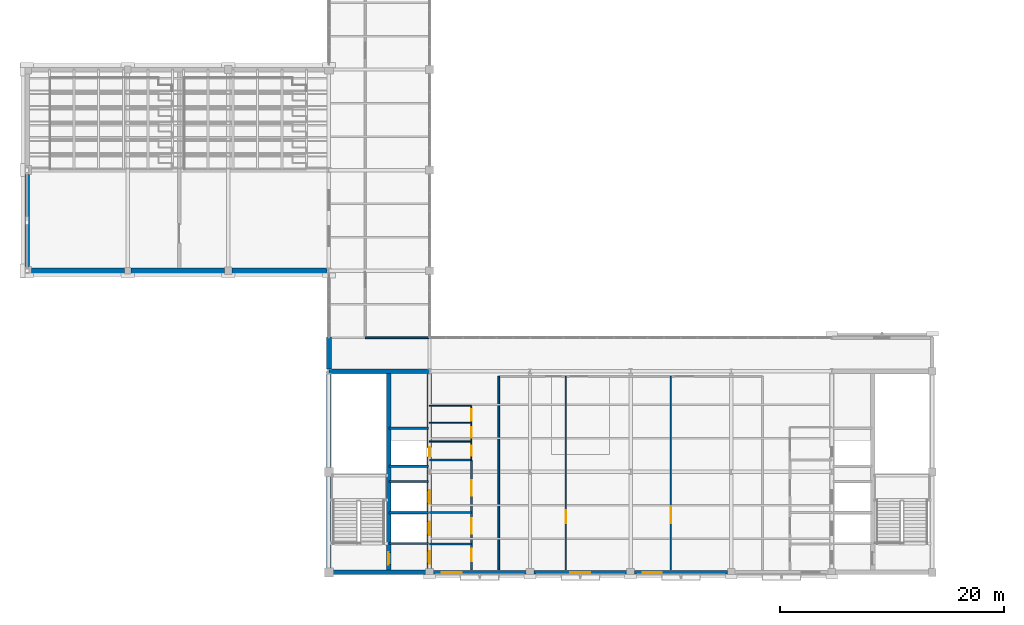
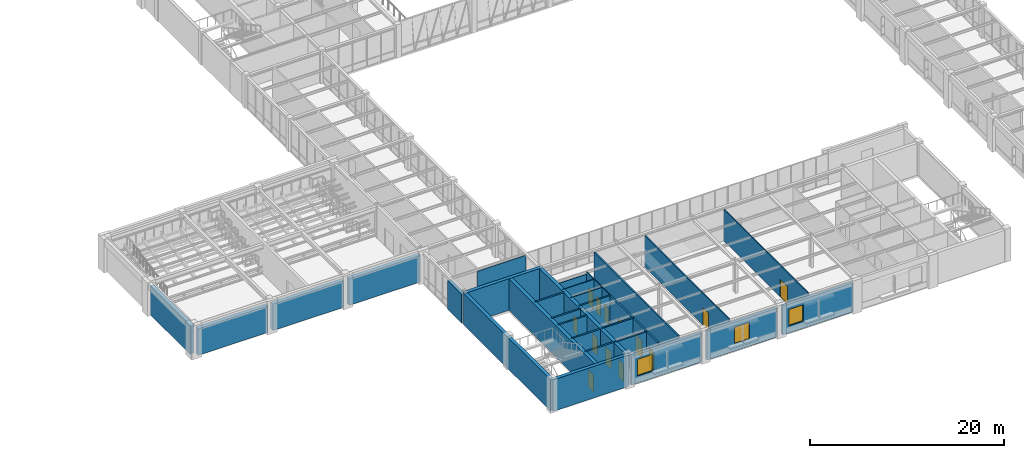
# One storey, part 111 of 130: 30 walls, 13 doors, 3 windows, 16 openings.
"""IFC4 building model written with IfcOpenShell, lengths in metres."""

from ifc_helpers import new_model, si_unit, direction, frame, frame_2d, origin, place, context, subcontext, project, spatial, rectangle, extrude, material, layer, layer_set, type_object, element, fill, save


model = new_model("IFC4")

# Units and contexts
model_context = context("Model", 3, precision=1e-05, world=origin(), true_north=direction((0.0, 1.0)))
body_context = subcontext(model_context, "Body", "Model", "MODEL_VIEW")
ifc_project = project(units=[si_unit("LENGTHUNIT", "METRE"), si_unit("AREAUNIT", "SQUARE_METRE"), si_unit("VOLUMEUNIT", "CUBIC_METRE"), si_unit("PLANEANGLEUNIT", "RADIAN"), si_unit("MASSUNIT", "GRAM", prefix="KILO")], contexts=[model_context])

# Site, building, storey
site_placement = place(None, origin())
site = spatial("IfcSite", under=ifc_project, at=site_placement, CompositionType="ELEMENT")
building_placement = place(site_placement, origin())
building = spatial("IfcBuilding", under=site, at=building_placement, Name="Lykobir Media Centre", CompositionType="ELEMENT")
storey_placement = place(building_placement, frame((0.0, 0.0, 19.199951171875)))
storey = spatial("IfcBuildingStorey", under=building, at=storey_placement, Name="L04", CompositionType="ELEMENT", Elevation=19.199951171875)

# Walls
ifc_material_1 = material(Name="Concrete C35/45", Category="concrete")
ifc_layer_1 = layer(ifc_material_1, 0.4599609375, Name="Concrete C35/45")
ifc_layer_set_1 = layer_set([ifc_layer_1], Name="Concrete C35/45")
wall_type_1 = type_object("IfcWallType", Name="EW-ACO-460", PredefinedType="STANDARD", material=ifc_layer_set_1)
wall_1_placement = place(storey_placement, frame((0.385009765625, 27.0, 0.0), z_axis=(0.0, 0.0, 1.0), x_axis=(1.0, 0.0, 0.0)))
element("IfcWall", 1, at=wall_1_placement, inside=storey, type_object=wall_type_1, Name="Exterior wall WALL-L04-0269", PredefinedType="STANDARD", context=body_context, shape_type="SweptSolid", body=[
    extrude(rectangle(XDim=8.330078125, YDim=0.4599609375, at=frame_2d((4.1650390625, 0.0))), origin(), (0.0, 0.0, 1.0), 3.3349609375),
])
wall_2_placement = place(storey_placement, frame((9.284912109375, 27.0, 0.0), z_axis=(0.0, 0.0, 1.0), x_axis=(1.0, 0.0, 0.0)))
element("IfcWall", 2, at=wall_2_placement, inside=storey, type_object=wall_type_1, Name="Exterior wall WALL-L04-0270", PredefinedType="STANDARD", context=body_context, shape_type="SweptSolid", body=[
    extrude(rectangle(XDim=8.380126953125, YDim=0.4599609375, at=frame_2d((4.18994140625, 0.0))), origin(), (0.0, 0.0, 1.0), 3.3349609375),
])
wall_3_placement = place(storey_placement, frame((18.3349609375, 27.0, 0.0), z_axis=(0.0, 0.0, 1.0), x_axis=(1.0, 0.0, 0.0)))
element("IfcWall", 3, at=wall_3_placement, inside=storey, type_object=wall_type_1, Name="Exterior wall WALL-L04-0271", PredefinedType="STANDARD", context=body_context, shape_type="SweptSolid", body=[
    extrude(rectangle(XDim=8.47802734375, YDim=0.4599609375, at=frame_2d((4.239013671875, 0.0))), origin(), (0.0, 0.0, 1.0), 3.3349609375),
])
wall_4_placement = place(storey_placement, frame((27.0, 21.074951171875, 0.0), z_axis=(0.0, 0.0, 1.0), x_axis=(0.0, -1.0, 0.0)))
element("IfcWall", 4, at=wall_4_placement, inside=storey, type_object=wall_type_1, Name="Exterior wall WALL-L04-0272", PredefinedType="STANDARD", context=body_context, shape_type="SweptSolid", body=[
    extrude(rectangle(XDim=2.886474609375, YDim=0.4599609375, at=frame_2d((1.443359375, 0.0))), origin(), (0.0, 0.0, 1.0), 3.635009765625),
])
wall_5_placement = place(storey_placement, frame((0.0, 35.614990234375, 0.0), z_axis=(0.0, 0.0, 1.0), x_axis=(0.0, -1.0, 0.0)))
element("IfcWall", 5, at=wall_5_placement, inside=storey, type_object=wall_type_1, Name="Exterior wall WALL-L04-0292", PredefinedType="STANDARD", context=body_context, shape_type="SweptSolid", body=[
    extrude(rectangle(XDim=8.22998046875, YDim=0.4599609375, at=frame_2d((4.114990234375, 0.0))), origin(), (0.0, 0.0, 1.0), 3.625),
])

# Wall, opening, window
ifc_material_2 = material(Name="Glazed Turquoise Terracotta", Category="masonry")
ifc_layer_2 = layer(ifc_material_2, 0.31005859375, Name="Glazed Turquoise Terracotta")
ifc_layer_set_2 = layer_set([ifc_layer_2], Name="Glazed Turquoise Terracotta")
wall_type_2 = type_object("IfcWallType", Name="EW-TER-310", PredefinedType="STANDARD", material=ifc_layer_set_2)
wall_6_placement = place(storey_placement, frame((36.3349609375, 0.0, 0.0), z_axis=(0.0, 0.0, 1.0), x_axis=(1.0, 0.0, 0.0)))
wall_6 = element("IfcWall", 6, at=wall_6_placement, inside=storey, type_object=wall_type_2, Name="Exterior wall WALL-L04-0273", PredefinedType="STANDARD", context=body_context, shape_type="SweptSolid", body=[
    extrude(rectangle(XDim=8.330078125, YDim=0.31005859375, at=frame_2d((4.1650390625, 0.0))), origin(), (0.0, 0.0, 1.0), 3.635009765625),
])
opening_1_placement = place(wall_6_placement, frame((0.75, 0.0, 0.89990234375)))
opening_1 = element("IfcOpeningElement", 7, at=opening_1_placement, cuts=wall_6, Name="Opening WN-1800x2100", PredefinedType="OPENING", context=body_context, shape_type="SweptSolid", body=[
    extrude(rectangle(XDim=1.800048828125, YDim=2.10009765625, at=frame_2d((0.89990234375, 1.050048828125))), frame((0.0, 0.1650390625, 0.0), z_axis=(0.0, -1.0, 0.0), x_axis=(1.0, 0.0, 0.0)), (0.0, 0.0, 1.0), 0.330078125),
])
ifc_material_3 = material(Name="Low-E Laminated Triple Glazing", Category="glass")
window_type_1 = type_object("IfcWindowType", Name="WN-1800x2100", PartitioningType="SINGLE_PANEL", PredefinedType="WINDOW", material=ifc_material_3)
window_1_placement = place(opening_1_placement, origin())
window_1 = element("IfcWindow", 8, at=window_1_placement, inside=storey, type_object=window_type_1, Name="Window WIN-L04-0099", OverallHeight=2.10009765625, OverallWidth=1.800048828125, PartitioningType="SINGLE_PANEL", PredefinedType="WINDOW", context=body_context, shape_type="SweptSolid", body=[
    extrude(rectangle(XDim=1.800048828125, YDim=2.10009765625, at=frame_2d((0.89990234375, 1.050048828125))), frame((0.0, 0.030029296875, 0.0), z_axis=(0.0, -1.0, 0.0), x_axis=(1.0, 0.0, 0.0)), (0.0, 0.0, 1.0), 0.06005859375),
])
fill(opening_1, window_1)

wall_7_placement = place(storey_placement, frame((45.3349609375, 0.0, 0.0), z_axis=(0.0, 0.0, 1.0), x_axis=(1.0, 0.0, 0.0)))
wall_7 = element("IfcWall", 9, at=wall_7_placement, inside=storey, type_object=wall_type_2, Name="Exterior wall WALL-L04-0274", PredefinedType="STANDARD", context=body_context, shape_type="SweptSolid", body=[
    extrude(rectangle(XDim=8.330078125, YDim=0.31005859375, at=frame_2d((4.1650390625, 0.0))), origin(), (0.0, 0.0, 1.0), 3.635009765625),
])
opening_2_placement = place(wall_7_placement, frame((3.264892578125, 0.0, 0.89990234375)))
opening_2 = element("IfcOpeningElement", 10, at=opening_2_placement, cuts=wall_7, Name="Opening WN-1800x2100", PredefinedType="OPENING", context=body_context, shape_type="SweptSolid", body=[
    extrude(rectangle(XDim=1.800048828125, YDim=2.10009765625, at=frame_2d((0.89990234375, 1.050048828125))), frame((0.0, 0.1650390625, 0.0), z_axis=(0.0, -1.0, 0.0), x_axis=(1.0, 0.0, 0.0)), (0.0, 0.0, 1.0), 0.330078125),
])
window_2_placement = place(opening_2_placement, origin())
window_2 = element("IfcWindow", 11, at=window_2_placement, inside=storey, type_object=window_type_1, Name="Window WIN-L04-0100", OverallHeight=2.10009765625, OverallWidth=1.800048828125, PartitioningType="SINGLE_PANEL", PredefinedType="WINDOW", context=body_context, shape_type="SweptSolid", body=[
    extrude(rectangle(XDim=1.800048828125, YDim=2.10009765625, at=frame_2d((0.89990234375, 1.050048828125))), frame((0.0, 0.030029296875, 0.0), z_axis=(0.0, -1.0, 0.0), x_axis=(1.0, 0.0, 0.0)), (0.0, 0.0, 1.0), 0.06005859375),
])
fill(opening_2, window_2)

wall_8_placement = place(storey_placement, frame((54.3349609375, 0.0, 0.0), z_axis=(0.0, 0.0, 1.0), x_axis=(1.0, 0.0, 0.0)))
wall_8 = element("IfcWall", 12, at=wall_8_placement, inside=storey, type_object=wall_type_2, Name="Exterior wall WALL-L04-0275", PredefinedType="STANDARD", context=body_context, shape_type="SweptSolid", body=[
    extrude(rectangle(XDim=8.330078125, YDim=0.31005859375, at=frame_2d((4.1650390625, 0.0))), origin(), (0.0, 0.0, 1.0), 3.635009765625),
])
opening_3_placement = place(wall_8_placement, frame((0.75, 0.0, 0.89990234375)))
opening_3 = element("IfcOpeningElement", 13, at=opening_3_placement, cuts=wall_8, Name="Opening WN-1700x2050", PredefinedType="OPENING", context=body_context, shape_type="SweptSolid", body=[
    extrude(rectangle(XDim=1.699951171875, YDim=2.050048828125, at=frame_2d((0.85009765625, 1.02490234375))), frame((0.0, 0.1650390625, 0.0), z_axis=(0.0, -1.0, 0.0), x_axis=(1.0, 0.0, 0.0)), (0.0, 0.0, 1.0), 0.330078125),
])
window_type_2 = type_object("IfcWindowType", Name="WN-1700x2050", PartitioningType="SINGLE_PANEL", PredefinedType="WINDOW", material=ifc_material_3)
window_3_placement = place(opening_3_placement, origin())
window_3 = element("IfcWindow", 14, at=window_3_placement, inside=storey, type_object=window_type_2, Name="Window WIN-L04-0101", OverallHeight=2.050048828125, OverallWidth=1.699951171875, PartitioningType="SINGLE_PANEL", PredefinedType="WINDOW", context=body_context, shape_type="SweptSolid", body=[
    extrude(rectangle(XDim=1.699951171875, YDim=2.050048828125, at=frame_2d((0.85009765625, 1.02490234375))), frame((0.0, 0.030029296875, 0.0), z_axis=(0.0, -1.0, 0.0), x_axis=(1.0, 0.0, 0.0)), (0.0, 0.0, 1.0), 0.06005859375),
])
fill(opening_3, window_3)

# Walls
ifc_material_4 = material(Name="Acoustic Gypsum Board", Category="gypsum")
ifc_layer_3 = layer(ifc_material_4, 0.159912109375, Name="Acoustic Gypsum Board")
ifc_layer_set_3 = layer_set([ifc_layer_3], Name="Acoustic Gypsum Board")
wall_type_3 = type_object("IfcWallType", Name="IW-COR-160", PredefinedType="PARTITIONING", material=ifc_layer_set_3)
wall_9_placement = place(storey_placement, frame((42.199951171875, 0.219970703125, 0.0), z_axis=(0.0, 0.0, 1.0), x_axis=(0.0, 1.0, 0.0)))
element("IfcWall", 15, at=wall_9_placement, inside=storey, type_object=wall_type_3, Name="Wall IWALL-L04-0735", PredefinedType="PARTITIONING", context=body_context, shape_type="SweptSolid", body=[
    extrude(rectangle(XDim=17.330078125, YDim=0.159912109375, at=frame_2d((8.6650390625, 0.0))), origin(), (0.0, 0.0, 1.0), 3.9599609375),
])
wall_10_placement = place(storey_placement, frame((30.25, 21.0, 0.0), z_axis=(0.0, 0.0, 1.0), x_axis=(1.0, 0.0, 0.0)))
element("IfcWall", 16, at=wall_10_placement, inside=storey, type_object=wall_type_3, Name="Wall IWALL-L04-0740", PredefinedType="PARTITIONING", context=body_context, shape_type="SweptSolid", body=[
    extrude(rectangle(XDim=5.72998046875, YDim=0.159912109375, at=frame_2d((2.864990234375, 0.0))), origin(), (0.0, 0.0, 1.0), 3.675048828125),
])

# Wall, openings, doors
ifc_layer_4 = layer(ifc_material_4, 0.179931640625, Name="Acoustic Gypsum Board")
ifc_layer_set_4 = layer_set([ifc_layer_4], Name="Acoustic Gypsum Board")
wall_type_4 = type_object("IfcWallType", Name="IW-FFLOB-180", PredefinedType="PARTITIONING", material=ifc_layer_set_4)
wall_11_placement = place(storey_placement, frame((39.75, 0.219970703125, 0.0), z_axis=(0.0, 0.0, 1.0), x_axis=(0.0, 1.0, 0.0)))
wall_11 = element("IfcWall", 17, at=wall_11_placement, inside=storey, type_object=wall_type_4, Name="Wall IWALL-L04-0101", PredefinedType="PARTITIONING", context=body_context, shape_type="SweptSolid", body=[
    extrude(rectangle(XDim=9.830078125, YDim=0.179931640625, at=frame_2d((4.9150390625, 0.0))), origin(), (0.0, 0.0, 1.0), 3.9599609375),
])
opening_4_placement = place(wall_11_placement, frame((0.800048828125, 0.0, 0.0)))
opening_4 = element("IfcOpeningElement", 18, at=opening_4_placement, cuts=wall_11, Name="Opening D-L04-C1LV", PredefinedType="OPENING", context=body_context, shape_type="SweptSolid", body=[
    extrude(rectangle(XDim=1.10009765625, YDim=2.159912109375, at=frame_2d((0.550048828125, 1.080078125))), frame((0.0, 0.099853515625, 0.0), z_axis=(0.0, -1.0, 0.0), x_axis=(1.0, 0.0, 0.0)), (0.0, 0.0, 1.0), 0.199951171875),
])
opening_5_placement = place(wall_11_placement, frame((3.25, 0.0, 0.0)))
opening_5 = element("IfcOpeningElement", 19, at=opening_5_placement, cuts=wall_11, Name="Opening D-L04-C1PL", PredefinedType="OPENING", context=body_context, shape_type="SweptSolid", body=[
    extrude(rectangle(XDim=1.39990234375, YDim=2.199951171875, at=frame_2d((0.699951171875, 1.10009765625))), frame((0.0, 0.099853515625, 0.0), z_axis=(0.0, -1.0, 0.0), x_axis=(1.0, 0.0, 0.0)), (0.0, 0.0, 1.0), 0.199951171875),
])
opening_6_placement = place(wall_11_placement, frame((6.64990234375, 0.0, 0.0)))
opening_6 = element("IfcOpeningElement", 20, at=opening_6_placement, cuts=wall_11, Name="Opening D-L04-C1FF", PredefinedType="OPENING", context=body_context, shape_type="SweptSolid", body=[
    extrude(rectangle(XDim=1.39990234375, YDim=2.199951171875, at=frame_2d((0.699951171875, 1.10009765625))), frame((0.0, 0.099853515625, 0.0), z_axis=(0.0, -1.0, 0.0), x_axis=(1.0, 0.0, 0.0)), (0.0, 0.0, 1.0), 0.199951171875),
])
ifc_material_5 = material(Name="Acoustic Timber Panelling", Category="wood")
door_type_1 = type_object("IfcDoorType", Name="FD-1100x2160", OperationType="NOTDEFINED", PredefinedType="DOOR", material=ifc_material_5)
door_1_placement = place(opening_4_placement, origin())
door_1 = element("IfcDoor", 21, at=door_1_placement, inside=storey, type_object=door_type_1, Name="Door D-L04-C1LV", OperationType="SINGLE_SWING_LEFT", OverallHeight=2.159912109375, OverallWidth=1.10009765625, PredefinedType="DOOR", context=body_context, shape_type="SweptSolid", body=[
    extrude(rectangle(XDim=1.10009765625, YDim=2.159912109375, at=frame_2d((0.550048828125, 1.080078125))), frame((0.0, 0.02490234375, 0.0), z_axis=(0.0, -1.0, 0.0), x_axis=(1.0, 0.0, 0.0)), (0.0, 0.0, 1.0), 0.050048828125),
])
fill(opening_4, door_1)
door_type_2 = type_object("IfcDoorType", Name="FD-1400x2200", OperationType="NOTDEFINED", PredefinedType="DOOR", material=ifc_material_5)
door_2_placement = place(opening_5_placement, origin())
door_2 = element("IfcDoor", 22, at=door_2_placement, inside=storey, type_object=door_type_2, Name="Door D-L04-C1PL", OperationType="DOUBLE_DOOR_SINGLE_SWING", OverallHeight=2.199951171875, OverallWidth=1.39990234375, PredefinedType="DOOR", context=body_context, shape_type="SweptSolid", body=[
    extrude(rectangle(XDim=1.39990234375, YDim=2.199951171875, at=frame_2d((0.699951171875, 1.10009765625))), frame((0.0, 0.02490234375, 0.0), z_axis=(0.0, -1.0, 0.0), x_axis=(1.0, 0.0, 0.0)), (0.0, 0.0, 1.0), 0.050048828125),
])
fill(opening_5, door_2)
door_3_placement = place(opening_6_placement, origin())
door_3 = element("IfcDoor", 23, at=door_3_placement, inside=storey, type_object=door_type_2, Name="Door D-L04-C1FF", OperationType="DOUBLE_DOOR_SINGLE_SWING", OverallHeight=2.199951171875, OverallWidth=1.39990234375, PredefinedType="DOOR", context=body_context, shape_type="SweptSolid", body=[
    extrude(rectangle(XDim=1.39990234375, YDim=2.199951171875, at=frame_2d((0.699951171875, 1.10009765625))), frame((0.0, 0.02490234375, 0.0), z_axis=(0.0, -1.0, 0.0), x_axis=(1.0, 0.0, 0.0)), (0.0, 0.0, 1.0), 0.050048828125),
])
fill(opening_6, door_3)

# Walls
for number, where, z_axis, x_axis, name in (
    (24, (36.0, 2.550048828125, 0.0), (0.0, 0.0, 1.0), (1.0, 0.0, 0.0), "Wall IWALL-L04-0102"),
    (25, (36.0, 5.35009765625, 0.0), (0.0, 0.0, 1.0), (1.0, 0.0, 0.0), "Wall IWALL-L04-0103"),
    (26, (36.0, 10.050048828125, 0.0), (0.0, 0.0, 1.0), (1.0, 0.0, 0.0), "Wall IWALL-L04-0104"),
):
    element("IfcWall", number, at=place(storey_placement, frame(where, z_axis=z_axis, x_axis=x_axis)), inside=storey, type_object=wall_type_4, Name=name, PredefinedType="PARTITIONING", context=body_context, shape_type="SweptSolid", body=[
        extrude(rectangle(XDim=3.75, YDim=0.179931640625, at=frame_2d((1.875, 0.0))), origin(), (0.0, 0.0, 1.0), 3.9599609375),
    ])

# Wall, opening, door
ifc_layer_5 = layer(ifc_material_4, 0.110107421875, Name="Acoustic Gypsum Board")
ifc_layer_set_5 = layer_set([ifc_layer_5], Name="Acoustic Gypsum Board")
wall_type_5 = type_object("IfcWallType", Name="IW-RM-110", PredefinedType="PARTITIONING", material=ifc_layer_set_5)
wall_12_placement = place(storey_placement, frame((57.60009765625, 0.219970703125, 0.0), z_axis=(0.0, 0.0, 1.0), x_axis=(0.0, 1.0, 0.0)))
wall_12 = element("IfcWall", 27, at=wall_12_placement, inside=storey, type_object=wall_type_5, Name="Wall IWALL-L04-0738", PredefinedType="PARTITIONING", context=body_context, shape_type="SweptSolid", body=[
    extrude(rectangle(XDim=17.330078125, YDim=0.110107421875, at=frame_2d((8.6650390625, 0.0))), origin(), (0.0, 0.0, 1.0), 3.9599609375),
])
opening_7_placement = place(wall_12_placement, frame((4.199951171875, 0.0, 0.0)))
opening_7 = element("IfcOpeningElement", 28, at=opening_7_placement, cuts=wall_12, Name="Opening D-L04-V7S2", PredefinedType="OPENING", context=body_context, shape_type="SweptSolid", body=[
    extrude(rectangle(XDim=1.5, YDim=2.199951171875, at=frame_2d((0.75, 1.10009765625))), frame((0.0, 0.06494140625, 0.0), z_axis=(0.0, -1.0, 0.0), x_axis=(1.0, 0.0, 0.0)), (0.0, 0.0, 1.0), 0.130126953125),
])
door_type_3 = type_object("IfcDoorType", Name="ID-1500x2200", OperationType="NOTDEFINED", PredefinedType="DOOR", material=ifc_material_5)
door_4_placement = place(opening_7_placement, origin())
door_4 = element("IfcDoor", 29, at=door_4_placement, inside=storey, type_object=door_type_3, Name="Door D-L04-V7S2", OperationType="SINGLE_SWING_LEFT", OverallHeight=2.199951171875, OverallWidth=1.5, PredefinedType="DOOR", context=body_context, shape_type="SweptSolid", body=[
    extrude(rectangle(XDim=1.5, YDim=2.199951171875, at=frame_2d((0.75, 1.10009765625))), frame((0.0, 0.02490234375, 0.0), z_axis=(0.0, -1.0, 0.0), x_axis=(1.0, 0.0, 0.0)), (0.0, 0.0, 1.0), 0.050048828125),
])
fill(opening_7, door_4)

ifc_layer_6 = layer(ifc_material_4, 0.125, Name="Acoustic Gypsum Board")
ifc_layer_set_6 = layer_set([ifc_layer_6], Name="Acoustic Gypsum Board")
wall_type_6 = type_object("IfcWallType", Name="IW-RM-125", PredefinedType="PARTITIONING", material=ifc_layer_set_6)
wall_13_placement = place(storey_placement, frame((48.199951171875, 0.219970703125, 0.0), z_axis=(0.0, 0.0, 1.0), x_axis=(0.0, 1.0, 0.0)))
wall_13 = element("IfcWall", 30, at=wall_13_placement, inside=storey, type_object=wall_type_6, Name="Wall IWALL-L04-0737", PredefinedType="PARTITIONING", context=body_context, shape_type="SweptSolid", body=[
    extrude(rectangle(XDim=17.330078125, YDim=0.125, at=frame_2d((8.6650390625, 0.0))), origin(), (0.0, 0.0, 1.0), 3.9599609375),
])
opening_8_placement = place(wall_13_placement, frame((4.199951171875, 0.0, 0.0)))
opening_8 = element("IfcOpeningElement", 31, at=opening_8_placement, cuts=wall_13, Name="Opening D-L04-V7S1", PredefinedType="OPENING", context=body_context, shape_type="SweptSolid", body=[
    extrude(rectangle(XDim=1.14990234375, YDim=2.14990234375, at=frame_2d((0.574951171875, 1.074951171875))), frame((0.0, 0.072509765625, 0.0), z_axis=(0.0, -1.0, 0.0), x_axis=(1.0, 0.0, 0.0)), (0.0, 0.0, 1.0), 0.14501953125),
])
door_type_4 = type_object("IfcDoorType", Name="ID-1150x2150", OperationType="NOTDEFINED", PredefinedType="DOOR", material=ifc_material_5)
door_5_placement = place(opening_8_placement, origin())
door_5 = element("IfcDoor", 32, at=door_5_placement, inside=storey, type_object=door_type_4, Name="Door D-L04-V7S1", OperationType="SINGLE_SWING_LEFT", OverallHeight=2.14990234375, OverallWidth=1.14990234375, PredefinedType="DOOR", context=body_context, shape_type="SweptSolid", body=[
    extrude(rectangle(XDim=1.14990234375, YDim=2.14990234375, at=frame_2d((0.574951171875, 1.074951171875))), frame((0.0, 0.02490234375, 0.0), z_axis=(0.0, -1.0, 0.0), x_axis=(1.0, 0.0, 0.0)), (0.0, 0.0, 1.0), 0.050048828125),
])
fill(opening_8, door_5)

# Walls
ifc_material_6 = material(Name="Concrete C30/37", Category="concrete")
ifc_layer_7 = layer(ifc_material_6, 0.199951171875, Name="Concrete C30/37")
ifc_layer_set_7 = layer_set([ifc_layer_7], Name="Concrete C30/37")
wall_type_7 = type_object("IfcWallType", Name="IW-SHAFT-200", PredefinedType="PARTITIONING", material=ifc_layer_set_7)
for number, where, z_axis, x_axis, name in (
    (33, (32.39990234375, 2.60009765625, 0.0), (0.0, 0.0, 1.0), (1.0, 0.0, 0.0), "Wall IWALL-L04-0096"),
    (34, (32.39990234375, 5.35009765625, 0.0), (0.0, 0.0, 1.0), (1.0, 0.0, 0.0), "Wall IWALL-L04-0097"),
    (35, (32.39990234375, 8.14990234375, 0.0), (0.0, 0.0, 1.0), (1.0, 0.0, 0.0), "Wall IWALL-L04-0098"),
    (36, (32.39990234375, 9.5, 0.0), (0.0, 0.0, 1.0), (1.0, 0.0, 0.0), "Wall IWALL-L04-0099"),
    (37, (32.39990234375, 12.89990234375, 0.0), (0.0, 0.0, 1.0), (1.0, 0.0, 0.0), "Wall IWALL-L04-0100"),
):
    element("IfcWall", number, at=place(storey_placement, frame(where, z_axis=z_axis, x_axis=x_axis)), inside=storey, type_object=wall_type_7, Name=name, PredefinedType="PARTITIONING", context=body_context, shape_type="SweptSolid", body=[
        extrude(rectangle(XDim=3.5, YDim=0.199951171875, at=frame_2d((1.75, 0.0))), origin(), (0.0, 0.0, 1.0), 3.9599609375),
    ])

# Wall, openings, doors
ifc_layer_8 = layer(ifc_material_4, 0.094970703125, Name="Acoustic Gypsum Board")
ifc_layer_set_8 = layer_set([ifc_layer_8], Name="Acoustic Gypsum Board")
wall_type_8 = type_object("IfcWallType", Name="IW-WC-095", PredefinedType="PARTITIONING", material=ifc_layer_set_8)
wall_14_placement = place(storey_placement, frame((39.75, 10.050048828125, 0.0), z_axis=(0.0, 0.0, 1.0), x_axis=(0.0, 1.0, 0.0)))
wall_14 = element("IfcWall", 38, at=wall_14_placement, inside=storey, type_object=wall_type_8, Name="Wall IWALL-L04-0105", PredefinedType="PARTITIONING", context=body_context, shape_type="SweptSolid", body=[
    extrude(rectangle(XDim=4.849853515625, YDim=0.094970703125, at=frame_2d((2.4248046875, 0.0))), origin(), (0.0, 0.0, 1.0), 3.9599609375),
])
opening_9_placement = place(wall_14_placement, frame((0.3798828125, 0.0, 0.0)))
opening_9 = element("IfcOpeningElement", 39, at=opening_9_placement, cuts=wall_14, Name="Opening D-L04-WCM", PredefinedType="OPENING", context=body_context, shape_type="SweptSolid", body=[
    extrude(rectangle(XDim=0.919921875, YDim=2.10009765625, at=frame_2d((0.4599609375, 1.050048828125))), frame((0.0, 0.057373046875, 0.0), z_axis=(0.0, -1.0, 0.0), x_axis=(1.0, 0.0, 0.0)), (0.0, 0.0, 1.0), 0.114990234375),
])
opening_10_placement = place(wall_14_placement, frame((2.02001953125, 0.0, 0.0)))
opening_10 = element("IfcOpeningElement", 40, at=opening_10_placement, cuts=wall_14, Name="Opening D-L04-WCF", PredefinedType="OPENING", context=body_context, shape_type="SweptSolid", body=[
    extrude(rectangle(XDim=0.919921875, YDim=2.10009765625, at=frame_2d((0.4599609375, 1.050048828125))), frame((0.0, 0.057373046875, 0.0), z_axis=(0.0, -1.0, 0.0), x_axis=(1.0, 0.0, 0.0)), (0.0, 0.0, 1.0), 0.114990234375),
])
opening_11_placement = place(wall_14_placement, frame((3.52001953125, 0.0, 0.0)))
opening_11 = element("IfcOpeningElement", 41, at=opening_11_placement, cuts=wall_14, Name="Opening D-L04-WCA1", PredefinedType="OPENING", context=body_context, shape_type="SweptSolid", body=[
    extrude(rectangle(XDim=1.050048828125, YDim=2.1298828125, at=frame_2d((0.52490234375, 1.06494140625))), frame((0.0, 0.057373046875, 0.0), z_axis=(0.0, -1.0, 0.0), x_axis=(1.0, 0.0, 0.0)), (0.0, 0.0, 1.0), 0.114990234375),
])
door_type_5 = type_object("IfcDoorType", Name="ID-0920x2100", OperationType="NOTDEFINED", PredefinedType="DOOR", material=ifc_material_5)
door_6_placement = place(opening_9_placement, origin())
door_6 = element("IfcDoor", 42, at=door_6_placement, inside=storey, type_object=door_type_5, Name="Door D-L04-WCM", OperationType="SINGLE_SWING_RIGHT", OverallHeight=2.10009765625, OverallWidth=0.919921875, PredefinedType="DOOR", context=body_context, shape_type="SweptSolid", body=[
    extrude(rectangle(XDim=0.919921875, YDim=2.10009765625, at=frame_2d((0.4599609375, 1.050048828125))), frame((0.0, 0.02490234375, 0.0), z_axis=(0.0, -1.0, 0.0), x_axis=(1.0, 0.0, 0.0)), (0.0, 0.0, 1.0), 0.050048828125),
])
fill(opening_9, door_6)
door_7_placement = place(opening_10_placement, origin())
door_7 = element("IfcDoor", 43, at=door_7_placement, inside=storey, type_object=door_type_5, Name="Door D-L04-WCF", OperationType="SINGLE_SWING_LEFT", OverallHeight=2.10009765625, OverallWidth=0.919921875, PredefinedType="DOOR", context=body_context, shape_type="SweptSolid", body=[
    extrude(rectangle(XDim=0.919921875, YDim=2.10009765625, at=frame_2d((0.4599609375, 1.050048828125))), frame((0.0, 0.02490234375, 0.0), z_axis=(0.0, -1.0, 0.0), x_axis=(1.0, 0.0, 0.0)), (0.0, 0.0, 1.0), 0.050048828125),
])
fill(opening_10, door_7)
door_type_6 = type_object("IfcDoorType", Name="ID-1050x2130", OperationType="NOTDEFINED", PredefinedType="DOOR", material=ifc_material_5)
door_8_placement = place(opening_11_placement, origin())
door_8 = element("IfcDoor", 44, at=door_8_placement, inside=storey, type_object=door_type_6, Name="Door D-L04-WCA1", OperationType="SINGLE_SWING_RIGHT", OverallHeight=2.1298828125, OverallWidth=1.050048828125, PredefinedType="DOOR", context=body_context, shape_type="SweptSolid", body=[
    extrude(rectangle(XDim=1.050048828125, YDim=2.1298828125, at=frame_2d((0.52490234375, 1.06494140625))), frame((0.0, 0.02490234375, 0.0), z_axis=(0.0, -1.0, 0.0), x_axis=(1.0, 0.0, 0.0)), (0.0, 0.0, 1.0), 0.050048828125),
])
fill(opening_11, door_8)

# Walls
for number, where, z_axis, x_axis, name in (
    (45, (36.0, 11.719970703125, 0.0), (0.0, 0.0, 1.0), (1.0, 0.0, 0.0), "Wall IWALL-L04-0106"),
    (46, (36.0, 13.3798828125, 0.0), (0.0, 0.0, 1.0), (1.0, 0.0, 0.0), "Wall IWALL-L04-0107"),
):
    element("IfcWall", number, at=place(storey_placement, frame(where, z_axis=z_axis, x_axis=x_axis)), inside=storey, type_object=wall_type_8, Name=name, PredefinedType="PARTITIONING", context=body_context, shape_type="SweptSolid", body=[
        extrude(rectangle(XDim=3.75, YDim=0.094970703125, at=frame_2d((1.875, 0.0))), origin(), (0.0, 0.0, 1.0), 3.9599609375),
    ])
wall_15_placement = place(storey_placement, frame((36.0, 14.89990234375, 0.0), z_axis=(0.0, 0.0, 1.0), x_axis=(1.0, 0.0, 0.0)))
element("IfcWall", 47, at=wall_15_placement, inside=storey, type_object=wall_type_8, Name="Wall IWALL-L04-0108", PredefinedType="PARTITIONING", context=body_context, shape_type="SweptSolid", body=[
    extrude(rectangle(XDim=3.75, YDim=0.094970703125, at=frame_2d((1.875, 0.0))), origin(), (0.0, 0.0, 1.0), 3.675048828125),
])

# Wall, openings, doors
ifc_material_7 = material(Name="Concrete C40/50", Category="concrete")
ifc_layer_9 = layer(ifc_material_7, 0.39990234375, Name="Concrete C40/50")
ifc_layer_set_9 = layer_set([ifc_layer_9], Name="Concrete C40/50")
wall_type_9 = type_object("IfcWallType", Name="SW-CORE-400", PredefinedType="SHEAR", material=ifc_layer_set_9)
wall_16_placement = place(storey_placement, frame((36.0, 0.0, 0.0), z_axis=(0.0, 0.0, 1.0), x_axis=(0.0, 1.0, 0.0)))
wall_16 = element("IfcWall", 48, at=wall_16_placement, inside=storey, type_object=wall_type_9, Name="Wall IWALL-L04-0092", PredefinedType="SHEAR", context=body_context, shape_type="SweptSolid", body=[
    extrude(rectangle(XDim=18.0, YDim=0.39990234375, at=frame_2d((9.0, 0.0))), origin(), (0.0, 0.0, 1.0), 3.9599609375),
])
opening_12_placement = place(wall_16_placement, frame((0.800048828125, 0.0, 0.0)))
opening_12 = element("IfcOpeningElement", 49, at=opening_12_placement, cuts=wall_16, Name="Opening D-L04-C1VB", PredefinedType="OPENING", context=body_context, shape_type="SweptSolid", body=[
    extrude(rectangle(XDim=1.10009765625, YDim=2.159912109375, at=frame_2d((0.550048828125, 1.080078125))), frame((0.0, 0.2099609375, 0.0), z_axis=(0.0, -1.0, 0.0), x_axis=(1.0, 0.0, 0.0)), (0.0, 0.0, 1.0), 0.419921875),
])
opening_13_placement = place(wall_16_placement, frame((3.35009765625, 0.0, 0.0)))
opening_13 = element("IfcOpeningElement", 50, at=opening_13_placement, cuts=wall_16, Name="Opening LD-L04-PL-1", PredefinedType="OPENING", context=body_context, shape_type="SweptSolid", body=[
    extrude(rectangle(XDim=1.199951171875, YDim=2.199951171875, at=frame_2d((0.60009765625, 1.10009765625))), frame((0.0, 0.2099609375, 0.0), z_axis=(0.0, -1.0, 0.0), x_axis=(1.0, 0.0, 0.0)), (0.0, 0.0, 1.0), 0.419921875),
])
opening_14_placement = place(wall_16_placement, frame((6.14990234375, 0.0, 0.0)))
opening_14 = element("IfcOpeningElement", 51, at=opening_14_placement, cuts=wall_16, Name="Opening LD-L04-FL-1", PredefinedType="OPENING", context=body_context, shape_type="SweptSolid", body=[
    extrude(rectangle(XDim=1.199951171875, YDim=2.199951171875, at=frame_2d((0.60009765625, 1.10009765625))), frame((0.0, 0.2099609375, 0.0), z_axis=(0.0, -1.0, 0.0), x_axis=(1.0, 0.0, 0.0)), (0.0, 0.0, 1.0), 0.419921875),
])
opening_15_placement = place(wall_16_placement, frame((10.35009765625, 0.0, 0.0)))
opening_15 = element("IfcOpeningElement", 52, at=opening_15_placement, cuts=wall_16, Name="Opening D-L04-C1RS", PredefinedType="OPENING", context=body_context, shape_type="SweptSolid", body=[
    extrude(rectangle(XDim=0.85009765625, YDim=2.10009765625, at=frame_2d((0.425048828125, 1.050048828125))), frame((0.0, 0.2099609375, 0.0), z_axis=(0.0, -1.0, 0.0), x_axis=(1.0, 0.0, 0.0)), (0.0, 0.0, 1.0), 0.419921875),
])
ifc_material_8 = material(Name="Anodized Aluminium AW-6060", Category="aluminium")
door_type_7 = type_object("IfcDoorType", Name="FD-0850x2100", OperationType="NOTDEFINED", PredefinedType="DOOR", material=ifc_material_8)
door_9_placement = place(opening_15_placement, origin())
door_9 = element("IfcDoor", 53, at=door_9_placement, inside=storey, type_object=door_type_7, Name="Riser access door C1 L04", OperationType="SINGLE_SWING_RIGHT", OverallHeight=2.10009765625, OverallWidth=0.85009765625, PredefinedType="DOOR", context=body_context, shape_type="SweptSolid", body=[
    extrude(rectangle(XDim=0.85009765625, YDim=2.10009765625, at=frame_2d((0.425048828125, 1.050048828125))), frame((0.0, 0.02490234375, 0.0), z_axis=(0.0, -1.0, 0.0), x_axis=(1.0, 0.0, 0.0)), (0.0, 0.0, 1.0), 0.050048828125),
])
fill(opening_15, door_9)
door_10_placement = place(opening_12_placement, origin())
door_10 = element("IfcDoor", 54, at=door_10_placement, inside=storey, type_object=door_type_1, Name="Door D-L04-C1VB", OperationType="SINGLE_SWING_LEFT", OverallHeight=2.159912109375, OverallWidth=1.10009765625, PredefinedType="DOOR", context=body_context, shape_type="SweptSolid", body=[
    extrude(rectangle(XDim=1.10009765625, YDim=2.159912109375, at=frame_2d((0.550048828125, 1.080078125))), frame((0.0, 0.02490234375, 0.0), z_axis=(0.0, -1.0, 0.0), x_axis=(1.0, 0.0, 0.0)), (0.0, 0.0, 1.0), 0.050048828125),
])
fill(opening_12, door_10)
door_type_8 = type_object("IfcDoorType", Name="LD-1200x2200", OperationType="NOTDEFINED", PredefinedType="DOOR", material=ifc_material_8)
door_11_placement = place(opening_13_placement, origin())
door_11 = element("IfcDoor", 55, at=door_11_placement, inside=storey, type_object=door_type_8, Name="Lift landing door PL-1 L04", OperationType="SLIDING_TO_LEFT", OverallHeight=2.199951171875, OverallWidth=1.199951171875, PredefinedType="DOOR", context=body_context, shape_type="SweptSolid", body=[
    extrude(rectangle(XDim=1.199951171875, YDim=2.199951171875, at=frame_2d((0.60009765625, 1.10009765625))), frame((0.0, 0.02490234375, 0.0), z_axis=(0.0, -1.0, 0.0), x_axis=(1.0, 0.0, 0.0)), (0.0, 0.0, 1.0), 0.050048828125),
])
fill(opening_13, door_11)
door_12_placement = place(opening_14_placement, origin())
door_12 = element("IfcDoor", 56, at=door_12_placement, inside=storey, type_object=door_type_8, Name="Firefighting lift landing door FL-1 L04", OperationType="SLIDING_TO_LEFT", OverallHeight=2.199951171875, OverallWidth=1.199951171875, PredefinedType="DOOR", context=body_context, shape_type="SweptSolid", body=[
    extrude(rectangle(XDim=1.199951171875, YDim=2.199951171875, at=frame_2d((0.60009765625, 1.10009765625))), frame((0.0, 0.02490234375, 0.0), z_axis=(0.0, -1.0, 0.0), x_axis=(1.0, 0.0, 0.0)), (0.0, 0.0, 1.0), 0.050048828125),
])
fill(opening_14, door_12)

# Wall, opening, door
wall_17_placement = place(storey_placement, frame((32.35009765625, 0.0, 0.0), z_axis=(0.0, 0.0, 1.0), x_axis=(0.0, 1.0, 0.0)))
wall_17 = element("IfcWall", 57, at=wall_17_placement, inside=storey, type_object=wall_type_9, Name="Wall IWALL-L04-0095", PredefinedType="SHEAR", context=body_context, shape_type="SweptSolid", body=[
    extrude(rectangle(XDim=18.0, YDim=0.39990234375, at=frame_2d((9.0, 0.0))), origin(), (0.0, 0.0, 1.0), 3.9599609375),
])
opening_16_placement = place(wall_17_placement, frame((0.699951171875, 0.0, 0.0)))
opening_16 = element("IfcOpeningElement", 58, at=opening_16_placement, cuts=wall_17, Name="Opening D-L04-C1ST", PredefinedType="OPENING", context=body_context, shape_type="SweptSolid", body=[
    extrude(rectangle(XDim=1.10009765625, YDim=2.159912109375, at=frame_2d((0.550048828125, 1.080078125))), frame((0.0, 0.2099609375, 0.0), z_axis=(0.0, -1.0, 0.0), x_axis=(1.0, 0.0, 0.0)), (0.0, 0.0, 1.0), 0.419921875),
])
door_13_placement = place(opening_16_placement, frame((1.10009765625, 0.0, 0.0), z_axis=(0.0, 0.0, 1.0), x_axis=(-1.0, 0.0, 0.0)))
door_13 = element("IfcDoor", 59, at=door_13_placement, inside=storey, type_object=door_type_1, Name="L04 ST-1 stairwell fire door", OperationType="SINGLE_SWING_RIGHT", OverallHeight=2.159912109375, OverallWidth=1.10009765625, PredefinedType="DOOR", context=body_context, shape_type="SweptSolid", body=[
    extrude(rectangle(XDim=1.10009765625, YDim=2.159912109375, at=frame_2d((0.550048828125, 1.080078125))), frame((0.0, 0.02490234375, 0.0), z_axis=(0.0, -1.0, 0.0), x_axis=(1.0, 0.0, 0.0)), (0.0, 0.0, 1.0), 0.050048828125),
])
fill(opening_16, door_13)

# Walls
ifc_layer_10 = layer(ifc_material_7, 0.39990234375, Name="Concrete C40/50")
ifc_layer_set_10 = layer_set([ifc_layer_10], Name="Concrete C40/50")
wall_type_10 = type_object("IfcWallType", Name="SW-CORE-400-E", PredefinedType="SHEAR", material=ifc_layer_set_10)
for number, where, z_axis, x_axis, name in (
    (60, (27.0, 0.0, 0.0), (0.0, 0.0, 1.0), (1.0, 0.0, 0.0), "Wall IWALL-L04-0091"),
    (61, (36.0, 18.0, 0.0), (0.0, 0.0, 1.0), (-1.0, 0.0, 0.0), "Wall IWALL-L04-0093"),
):
    element("IfcWall", number, at=place(storey_placement, frame(where, z_axis=z_axis, x_axis=x_axis)), inside=storey, type_object=wall_type_10, Name=name, PredefinedType="SHEAR", context=body_context, shape_type="SweptSolid", body=[
        extrude(rectangle(XDim=9.0, YDim=0.39990234375, at=frame_2d((4.5, 0.0))), origin(), (0.0, 0.0, 1.0), 3.9599609375),
    ])
wall_18_placement = place(storey_placement, frame((27.0, 18.0, 0.0), z_axis=(0.0, 0.0, 1.0), x_axis=(0.0, -1.0, 0.0)))
element("IfcWall", 62, at=wall_18_placement, inside=storey, type_object=wall_type_10, Name="Wall IWALL-L04-0094", PredefinedType="SHEAR", context=body_context, shape_type="SweptSolid", body=[
    extrude(rectangle(XDim=18.0, YDim=0.39990234375, at=frame_2d((9.0, 0.0))), origin(), (0.0, 0.0, 1.0), 3.9599609375),
])

save(model, "model.ifc")
